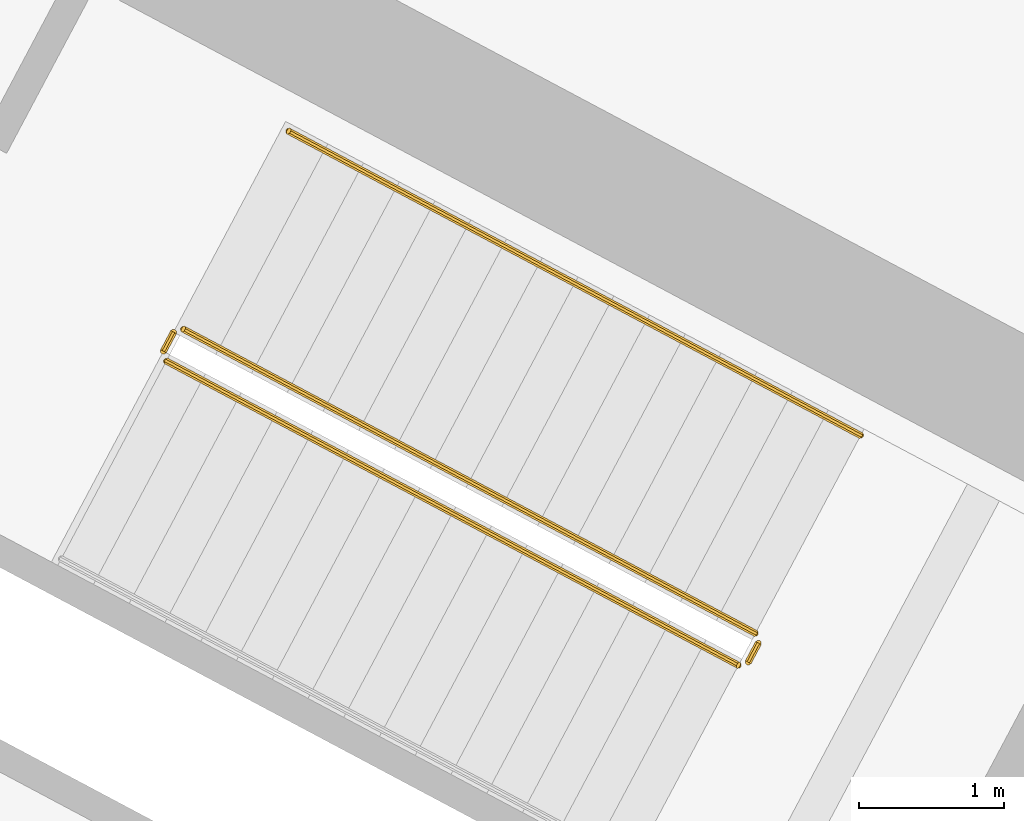
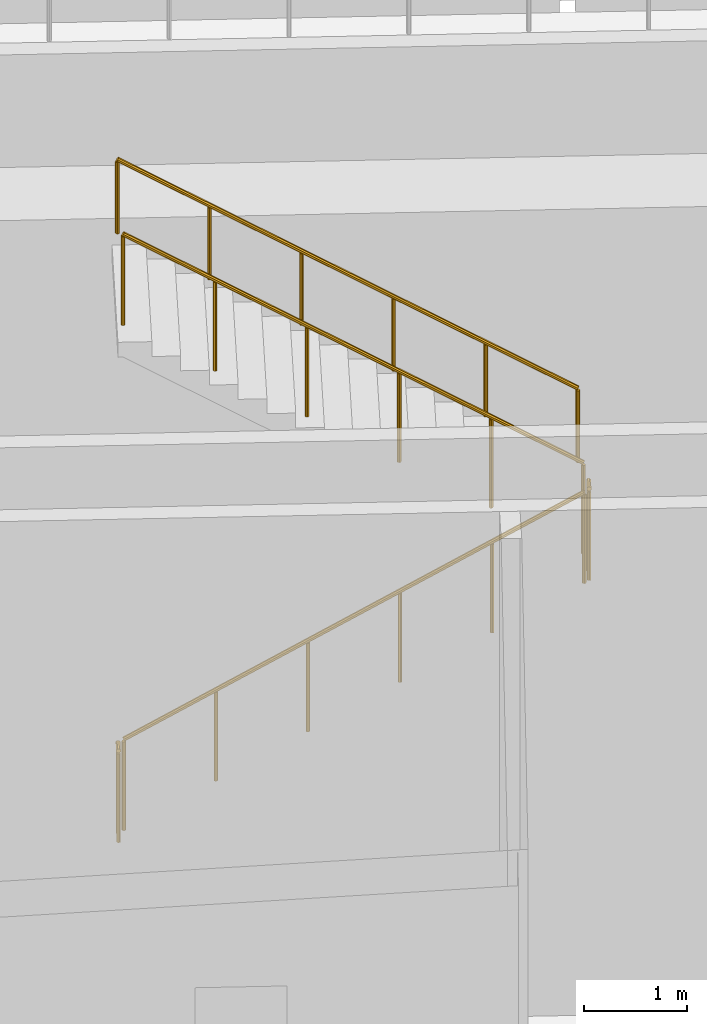
# One storey, part 25 of 33: 5 railings.
"""IFC4 building model written with IfcOpenShell, lengths in metres."""

from ifc_helpers import new_model, si_unit, direction, frame, origin, place, context, subcontext, project, spatial, polyline, outline, extrude, material, type_object, element, save


model = new_model("IFC4")

# Units and contexts
model_context = context("Model", 3, precision=1e-05, world=origin(), true_north=direction((0.0, 1.0)))
body_context = subcontext(model_context, "Body", "Model", "MODEL_VIEW")
ifc_project = project(units=[si_unit("LENGTHUNIT", "METRE"), si_unit("AREAUNIT", "SQUARE_METRE"), si_unit("VOLUMEUNIT", "CUBIC_METRE"), si_unit("PLANEANGLEUNIT", "RADIAN"), si_unit("MASSUNIT", "GRAM", prefix="KILO")], contexts=[model_context])

# Site, building, storey
site_placement = place(None, origin())
site = spatial("IfcSite", under=ifc_project, at=site_placement, CompositionType="ELEMENT")
building_placement = place(site_placement, origin())
building = spatial("IfcBuilding", under=site, at=building_placement, Name="Cormorant Relay Tower", CompositionType="ELEMENT")
storey_placement = place(building_placement, frame((0.0, 0.0, 112.199951171875)))
storey = spatial("IfcBuildingStorey", under=building, at=storey_placement, Name="L22", CompositionType="ELEMENT", Elevation=112.199951171875)

# Railings
ifc_material_1 = material(Name="Steel ASTM A572 Grade 50 (Fy 345 MPa)", Category="steel")
railing_type_1 = type_object("IfcRailingType", Name="Stair guard 1100", PredefinedType="GUARDRAIL", material=ifc_material_1)
railing_1_placement = place(storey_placement, frame((-20.75048828125, 19.017822265625, 0.176513671875)))
element("IfcRailing", 1, at=railing_1_placement, inside=storey, type_object=railing_type_1, Name="L22 A1 stair guard 1", PredefinedType="GUARDRAIL", context=body_context, shape_type="SweptSolid", body=[
    extrude(outline(polyline([(0.022216796875, 0.00927734375), (0.00927734375, 0.022216796875), (-0.00927734375, 0.022216796875), (-0.022216796875, 0.00927734375), (-0.022216796875, -0.00927734375), (-0.00927734375, -0.022216796875), (0.00927734375, -0.022216796875), (0.022216796875, -0.00927734375), (0.022216796875, 0.00927734375)])), frame((0.0, 0.0, 1.076171875), z_axis=(0.746967351038, -0.397180825157, 0.533185866853), x_axis=(0.469481920044, 0.882942085729, 0.0)), (0.0, 0.0, 1.0), 5.29541015625),
    extrude(outline(polyline([(0.019287109375, 0.008056640625), (0.008056640625, 0.019287109375), (-0.008056640625, 0.019287109375), (-0.019287109375, 0.008056640625), (-0.019287109375, -0.008056640625), (-0.008056640625, -0.019287109375), (0.008056640625, -0.019287109375), (0.019287109375, -0.008056640625), (0.019287109375, 0.008056640625)])), origin(), (0.0, 0.0, 1.0), 1.052001953125),
    extrude(outline(polyline([(0.019287109375, 0.008056640625), (0.008056640625, 0.019287109375), (-0.008056640625, 0.019287109375), (-0.019287109375, 0.008056640625), (-0.019287109375, -0.008056640625), (-0.008056640625, -0.019287109375), (0.008056640625, -0.019287109375), (0.019287109375, -0.008056640625), (0.019287109375, 0.008056640625)])), frame((0.791015625, -0.420654296875, 0.564697265625)), (0.0, 0.0, 1.0), 1.052001953125),
    extrude(outline(polyline([(0.019287109375, 0.008056640625), (0.008056640625, 0.019287109375), (-0.008056640625, 0.019287109375), (-0.019287109375, 0.008056640625), (-0.019287109375, -0.008056640625), (-0.008056640625, -0.019287109375), (0.008056640625, -0.019287109375), (0.019287109375, -0.008056640625), (0.019287109375, 0.008056640625)])), frame((1.582275390625, -0.84130859375, 1.12939453125)), (0.0, 0.0, 1.0), 1.052001953125),
    extrude(outline(polyline([(0.019287109375, 0.008056640625), (0.008056640625, 0.019287109375), (-0.008056640625, 0.019287109375), (-0.019287109375, 0.008056640625), (-0.019287109375, -0.008056640625), (-0.008056640625, -0.019287109375), (0.008056640625, -0.019287109375), (0.019287109375, -0.008056640625), (0.019287109375, 0.008056640625)])), frame((2.373291015625, -1.261962890625, 1.694091796875)), (0.0, 0.0, 1.0), 1.052001953125),
    extrude(outline(polyline([(0.019287109375, 0.008056640625), (0.008056640625, 0.019287109375), (-0.008056640625, 0.019287109375), (-0.019287109375, 0.008056640625), (-0.019287109375, -0.008056640625), (-0.008056640625, -0.019287109375), (0.008056640625, -0.019287109375), (0.019287109375, -0.008056640625), (0.019287109375, 0.008056640625)])), frame((3.16455078125, -1.6826171875, 2.2587890625)), (0.0, 0.0, 1.0), 1.052001953125),
    extrude(outline(polyline([(0.019287109375, 0.008056640625), (0.008056640625, 0.019287109375), (-0.008056640625, 0.019287109375), (-0.019287109375, 0.008056640625), (-0.019287109375, -0.008056640625), (-0.008056640625, -0.019287109375), (0.008056640625, -0.019287109375), (0.019287109375, -0.008056640625), (0.019287109375, 0.008056640625)])), frame((3.95556640625, -2.103271484375, 2.823486328125)), (0.0, 0.0, 1.0), 1.052001953125),
])
railing_2_placement = place(storey_placement, frame((-16.727294921875, 16.935302734375, 3.0)))
element("IfcRailing", 2, at=railing_2_placement, inside=storey, type_object=railing_type_1, Name="L22 A1 stair guard 2", PredefinedType="GUARDRAIL", context=body_context, shape_type="SweptSolid", body=[
    extrude(outline(polyline([(0.022216796875, 0.00927734375), (0.00927734375, 0.022216796875), (-0.00927734375, 0.022216796875), (-0.022216796875, 0.00927734375), (-0.022216796875, -0.00927734375), (-0.00927734375, -0.022216796875), (0.00927734375, -0.022216796875), (0.022216796875, -0.00927734375), (0.022216796875, 0.00927734375)])), frame((0.0, 0.0, 1.076171875), z_axis=(0.46856034887, 0.8834314911, 0.0), x_axis=(-0.8834314911, 0.46856034887, 0.0)), (0.0, 0.0, 1.0), 0.150146484375),
    extrude(outline(polyline([(0.019287109375, 0.008056640625), (0.008056640625, 0.019287109375), (-0.008056640625, 0.019287109375), (-0.019287109375, 0.008056640625), (-0.019287109375, -0.008056640625), (-0.008056640625, -0.019287109375), (0.008056640625, -0.019287109375), (0.019287109375, -0.008056640625), (0.019287109375, 0.008056640625)])), origin(), (0.0, 0.0, 1.0), 1.052001953125),
    extrude(outline(polyline([(0.019287109375, 0.008056640625), (0.008056640625, 0.019287109375), (-0.008056640625, 0.019287109375), (-0.019287109375, 0.008056640625), (-0.019287109375, -0.008056640625), (-0.008056640625, -0.019287109375), (0.008056640625, -0.019287109375), (0.019287109375, -0.008056640625), (0.019287109375, 0.008056640625)])), frame((0.0703125, 0.132568359375, 0.0)), (0.0, 0.0, 1.0), 1.052001953125),
])
railing_3_placement = place(storey_placement, frame((-16.677490234375, 17.135498046875, 3.176513671875)))
element("IfcRailing", 3, at=railing_3_placement, inside=storey, type_object=railing_type_1, Name="L22 A1 stair guard 3", PredefinedType="GUARDRAIL", context=body_context, shape_type="SweptSolid", body=[
    extrude(outline(polyline([(0.022216796875, 0.00927734375), (0.00927734375, 0.022216796875), (-0.00927734375, 0.022216796875), (-0.022216796875, 0.00927734375), (-0.022216796875, -0.00927734375), (-0.00927734375, -0.022216796875), (0.00927734375, -0.022216796875), (0.022216796875, -0.00927734375), (0.022216796875, 0.00927734375)])), frame((0.0, 0.0, 1.076171875), z_axis=(-0.747001406545, 0.39712831673, 0.533177267586), x_axis=(-0.469416846059, -0.882976684084, 0.0)), (0.0, 0.0, 1.0), 5.295654296875),
    extrude(outline(polyline([(0.019287109375, 0.008056640625), (0.008056640625, 0.019287109375), (-0.008056640625, 0.019287109375), (-0.019287109375, 0.008056640625), (-0.019287109375, -0.008056640625), (-0.008056640625, -0.019287109375), (0.008056640625, -0.019287109375), (0.019287109375, -0.008056640625), (0.019287109375, 0.008056640625)])), origin(), (0.0, 0.0, 1.0), 1.052001953125),
    extrude(outline(polyline([(0.019287109375, 0.008056640625), (0.008056640625, 0.019287109375), (-0.008056640625, 0.019287109375), (-0.019287109375, 0.008056640625), (-0.019287109375, -0.008056640625), (-0.008056640625, -0.019287109375), (0.008056640625, -0.019287109375), (0.019287109375, -0.008056640625), (0.019287109375, 0.008056640625)])), frame((-0.791259765625, 0.420654296875, 0.564697265625)), (0.0, 0.0, 1.0), 1.052001953125),
    extrude(outline(polyline([(0.019287109375, 0.008056640625), (0.008056640625, 0.019287109375), (-0.008056640625, 0.019287109375), (-0.019287109375, 0.008056640625), (-0.019287109375, -0.008056640625), (-0.008056640625, -0.019287109375), (0.008056640625, -0.019287109375), (0.019287109375, -0.008056640625), (0.019287109375, 0.008056640625)])), frame((-1.582275390625, 0.84130859375, 1.12939453125)), (0.0, 0.0, 1.0), 1.052001953125),
    extrude(outline(polyline([(0.019287109375, 0.008056640625), (0.008056640625, 0.019287109375), (-0.008056640625, 0.019287109375), (-0.019287109375, 0.008056640625), (-0.019287109375, -0.008056640625), (-0.008056640625, -0.019287109375), (0.008056640625, -0.019287109375), (0.019287109375, -0.008056640625), (0.019287109375, 0.008056640625)])), frame((-2.37353515625, 1.26171875, 1.694091796875)), (0.0, 0.0, 1.0), 1.052001953125),
    extrude(outline(polyline([(0.019287109375, 0.008056640625), (0.008056640625, 0.019287109375), (-0.008056640625, 0.019287109375), (-0.019287109375, 0.008056640625), (-0.019287109375, -0.008056640625), (-0.008056640625, -0.019287109375), (0.008056640625, -0.019287109375), (0.019287109375, -0.008056640625), (0.019287109375, 0.008056640625)])), frame((-3.16455078125, 1.682373046875, 2.2587890625)), (0.0, 0.0, 1.0), 1.052001953125),
    extrude(outline(polyline([(0.019287109375, 0.008056640625), (0.008056640625, 0.019287109375), (-0.008056640625, 0.019287109375), (-0.019287109375, 0.008056640625), (-0.019287109375, -0.008056640625), (-0.008056640625, -0.019287109375), (0.008056640625, -0.019287109375), (0.019287109375, -0.008056640625), (0.019287109375, 0.008056640625)])), frame((-3.955810546875, 2.10302734375, 2.823486328125)), (0.0, 0.0, 1.0), 1.052001953125),
])
railing_4_placement = place(storey_placement, frame((-20.771240234375, 19.08544921875, 0.0)))
element("IfcRailing", 4, at=railing_4_placement, inside=storey, type_object=railing_type_1, Name="L22 A1 stair guard 4", PredefinedType="GUARDRAIL", context=body_context, shape_type="SweptSolid", body=[
    extrude(outline(polyline([(0.022216796875, 0.00927734375), (0.00927734375, 0.022216796875), (-0.00927734375, 0.022216796875), (-0.022216796875, 0.00927734375), (-0.022216796875, -0.00927734375), (-0.00927734375, -0.022216796875), (0.00927734375, -0.022216796875), (0.022216796875, -0.00927734375), (0.022216796875, 0.00927734375)])), frame((0.0, 0.0, 1.076171875), z_axis=(0.469828648786, 0.882757634224, 0.0), x_axis=(-0.882757634224, 0.469828648786, 0.0)), (0.0, 0.0, 1.0), 0.150146484375),
    extrude(outline(polyline([(0.019287109375, 0.008056640625), (0.008056640625, 0.019287109375), (-0.008056640625, 0.019287109375), (-0.019287109375, 0.008056640625), (-0.019287109375, -0.008056640625), (-0.008056640625, -0.019287109375), (0.008056640625, -0.019287109375), (0.019287109375, -0.008056640625), (0.019287109375, 0.008056640625)])), origin(), (0.0, 0.0, 1.0), 1.052001953125),
    extrude(outline(polyline([(0.019287109375, 0.008056640625), (0.008056640625, 0.019287109375), (-0.008056640625, 0.019287109375), (-0.019287109375, 0.008056640625), (-0.019287109375, -0.008056640625), (-0.008056640625, -0.019287109375), (0.008056640625, -0.019287109375), (0.019287109375, -0.008056640625), (0.019287109375, 0.008056640625)])), frame((0.070556640625, 0.132568359375, 0.0)), (0.0, 0.0, 1.0), 1.052001953125),
])
ifc_material_2 = material(Name="Steel ASTM A572 Grade 50 (Fy 345 MPa)", Category="steel")
railing_type_2 = type_object("IfcRailingType", Name="Stair handrail 900", PredefinedType="HANDRAIL", material=ifc_material_2)
railing_5_placement = place(storey_placement, frame((-15.949951171875, 18.50390625, 3.176513671875)))
element("IfcRailing", 5, at=railing_5_placement, inside=storey, type_object=railing_type_2, Name="L22 A1 stair handrail 2", PredefinedType="HANDRAIL", context=body_context, shape_type="SweptSolid", body=[
    extrude(outline(polyline([(0.022216796875, 0.00927734375), (0.00927734375, 0.022216796875), (-0.00927734375, 0.022216796875), (-0.022216796875, 0.00927734375), (-0.022216796875, -0.00927734375), (-0.00927734375, -0.022216796875), (0.00927734375, -0.022216796875), (0.022216796875, -0.00927734375), (0.022216796875, 0.00927734375)])), frame((0.0, 0.0, 0.8759765625), z_axis=(-0.746967351038, 0.397180825157, 0.533185866853), x_axis=(-0.469481920044, -0.882942085729, 0.0)), (0.0, 0.0, 1.0), 5.29541015625),
    extrude(outline(polyline([(0.019287109375, 0.008056640625), (0.008056640625, 0.019287109375), (-0.008056640625, 0.019287109375), (-0.019287109375, 0.008056640625), (-0.019287109375, -0.008056640625), (-0.008056640625, -0.019287109375), (0.008056640625, -0.019287109375), (0.019287109375, -0.008056640625), (0.019287109375, 0.008056640625)])), origin(), (0.0, 0.0, 1.0), 0.851806640625),
    extrude(outline(polyline([(0.019287109375, 0.008056640625), (0.008056640625, 0.019287109375), (-0.008056640625, 0.019287109375), (-0.019287109375, 0.008056640625), (-0.019287109375, -0.008056640625), (-0.008056640625, -0.019287109375), (0.008056640625, -0.019287109375), (0.019287109375, -0.008056640625), (0.019287109375, 0.008056640625)])), frame((-0.791015625, 0.420654296875, 0.564697265625)), (0.0, 0.0, 1.0), 0.851806640625),
    extrude(outline(polyline([(0.019287109375, 0.008056640625), (0.008056640625, 0.019287109375), (-0.008056640625, 0.019287109375), (-0.019287109375, 0.008056640625), (-0.019287109375, -0.008056640625), (-0.008056640625, -0.019287109375), (0.008056640625, -0.019287109375), (0.019287109375, -0.008056640625), (0.019287109375, 0.008056640625)])), frame((-1.582275390625, 0.84130859375, 1.12939453125)), (0.0, 0.0, 1.0), 0.851806640625),
    extrude(outline(polyline([(0.019287109375, 0.008056640625), (0.008056640625, 0.019287109375), (-0.008056640625, 0.019287109375), (-0.019287109375, 0.008056640625), (-0.019287109375, -0.008056640625), (-0.008056640625, -0.019287109375), (0.008056640625, -0.019287109375), (0.019287109375, -0.008056640625), (0.019287109375, 0.008056640625)])), frame((-2.373291015625, 1.261962890625, 1.694091796875)), (0.0, 0.0, 1.0), 0.851806640625),
    extrude(outline(polyline([(0.019287109375, 0.008056640625), (0.008056640625, 0.019287109375), (-0.008056640625, 0.019287109375), (-0.019287109375, 0.008056640625), (-0.019287109375, -0.008056640625), (-0.008056640625, -0.019287109375), (0.008056640625, -0.019287109375), (0.019287109375, -0.008056640625), (0.019287109375, 0.008056640625)])), frame((-3.16455078125, 1.6826171875, 2.2587890625)), (0.0, 0.0, 1.0), 0.851806640625),
    extrude(outline(polyline([(0.019287109375, 0.008056640625), (0.008056640625, 0.019287109375), (-0.008056640625, 0.019287109375), (-0.019287109375, 0.008056640625), (-0.019287109375, -0.008056640625), (-0.008056640625, -0.019287109375), (0.008056640625, -0.019287109375), (0.019287109375, -0.008056640625), (0.019287109375, 0.008056640625)])), frame((-3.95556640625, 2.103271484375, 2.823486328125)), (0.0, 0.0, 1.0), 0.851806640625),
])

save(model, "model.ifc")
